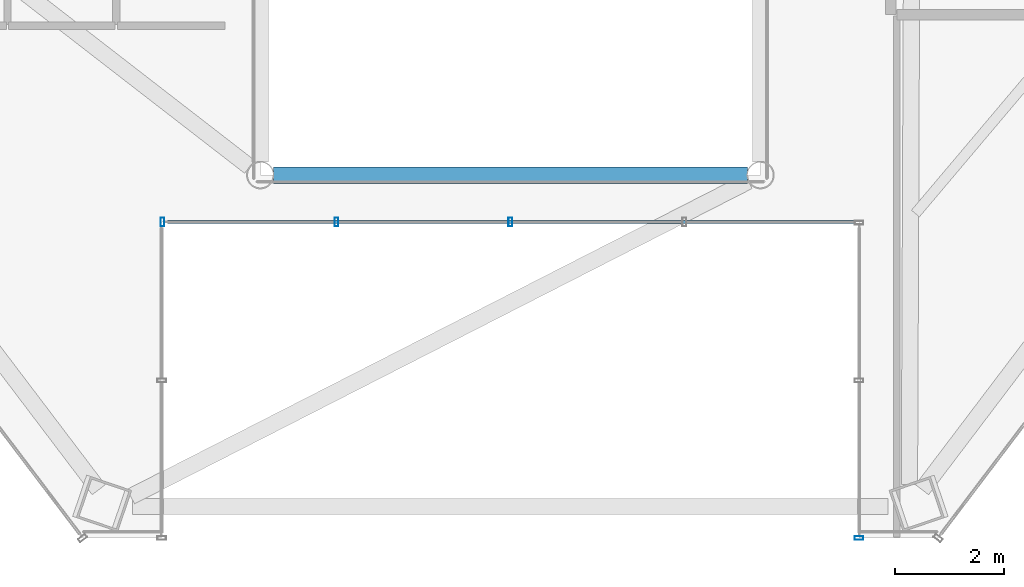
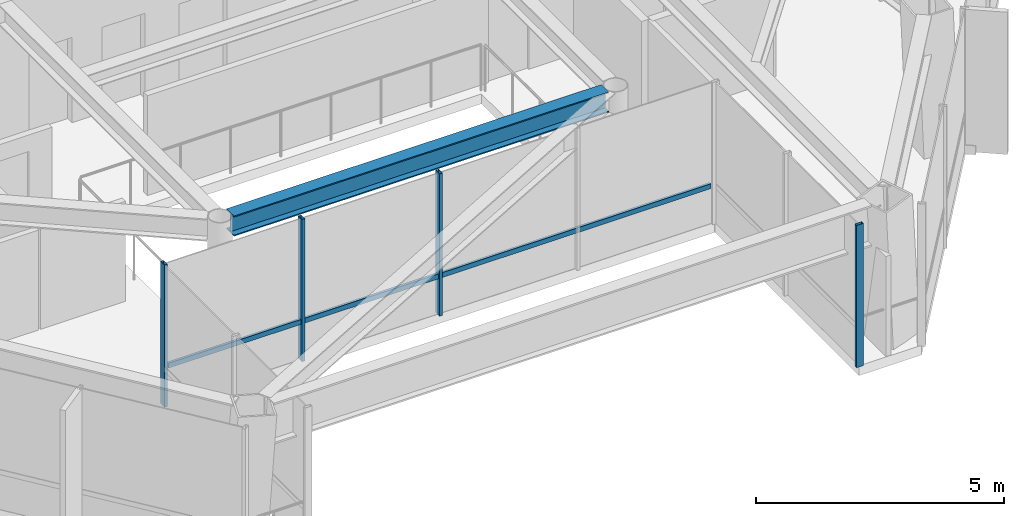
# One storey, part 8 of 30: 5 members, 1 beam, 2 elements without a shape of their own.
"""IFC4 building model written with IfcOpenShell, lengths in metres."""

from ifc_helpers import new_model, si_unit, direction, frame, origin, origin_2d, place, context, subcontext, project, spatial, hollow_rectangle, i_section, extrude, material, layer, layer_set, material_profile, profile_set, type_object, element, aggregate, save


model = new_model("IFC4")

# Units and contexts
model_context = context("Model", 3, precision=1e-05, world=origin(), true_north=direction((0.0, 1.0)))
body_context = subcontext(model_context, "Body", "Model", "MODEL_VIEW")
ifc_project = project(units=[si_unit("LENGTHUNIT", "METRE"), si_unit("AREAUNIT", "SQUARE_METRE"), si_unit("VOLUMEUNIT", "CUBIC_METRE"), si_unit("PLANEANGLEUNIT", "RADIAN"), si_unit("MASSUNIT", "GRAM", prefix="KILO")], contexts=[model_context])

# Site, building, storey
site_placement = place(None, origin())
site = spatial("IfcSite", under=ifc_project, at=site_placement, CompositionType="ELEMENT")
building_placement = place(site_placement, origin())
building = spatial("IfcBuilding", under=site, at=building_placement, Name="Zarrinselat Tower", CompositionType="ELEMENT")
storey_placement = place(building_placement, frame((0.0, 0.0, 160.820068359375)))
storey = spatial("IfcBuildingStorey", under=building, at=storey_placement, Name="L39", CompositionType="ELEMENT", Elevation=160.820068359375)

# Beam
ifc_material_1 = material(Name="Steel S355J2", Category="steel")
ifc_material_profile_1 = material_profile(ifc_material_1, i_section(OverallWidth=0.300048828125, OverallDepth=0.5, WebThickness=0.014404296875, FlangeThickness=0.028076171875, at=origin_2d()), Name="HEB 500")
ifc_profile_set_1 = profile_set([ifc_material_profile_1], Name="Steel S355J2")
beam_type = type_object("IfcBeamType", Name="BM-HEB500", PredefinedType="BEAM", material=ifc_profile_set_1)
beam_placement = place(storey_placement, frame((34.0400390625, 24.39990234375, 3.25), z_axis=(1.0, 0.0, 0.0), x_axis=(0.0, 1.0, 0.0)))
element("IfcBeam", 1, at=beam_placement, inside=storey, type_object=beam_type, Name="L39 Atrium Edge Beam S", PredefinedType="BEAM", context=body_context, shape_type="SweptSolid", body=[
    extrude(i_section(OverallWidth=0.300048828125, OverallDepth=0.5, WebThickness=0.014404296875, FlangeThickness=0.028076171875, at=origin_2d()), origin(), (0.0, 0.0, 1.0), 8.719970703125),
])

# Curtain wall, member
ifc_material_2 = material(Name="Extruded Aluminium Alloy EN AW-6063 T6", Category="aluminium")
ifc_layer = layer(ifc_material_2, 0.18994140625)
ifc_layer_set = layer_set([ifc_layer], Name="Extruded Aluminium Alloy EN AW-6063 T6")
curtain_wall_type = type_object("IfcCurtainWallType", Name="CWS-SG", PredefinedType="NOTDEFINED", material=ifc_layer_set)
curtain_wall_1_placement = place(storey_placement, origin())
curtain_wall_1 = element("IfcCurtainWall", 2, at=curtain_wall_1_placement, inside=storey, type_object=curtain_wall_type, Name="L39 Unitised Curtain Wall CW-L39-E07", PredefinedType="NOTDEFINED")
ifc_material_3 = material(Name="Extruded Aluminium Alloy EN AW-6063 T6", Category="aluminium")
ifc_material_profile_2 = material_profile(ifc_material_3, hollow_rectangle(XDim=0.070068359375, YDim=0.159912109375, WallThickness=0.00390625, at=origin_2d()), Name="RHS 160x70x4")
ifc_profile_set_2 = profile_set([ifc_material_profile_2], Name="Extruded Aluminium Alloy EN AW-6063 T6")
member_type_1 = type_object("IfcMemberType", Name="MEM-CW-MUL2", PredefinedType="MULLION", material=ifc_profile_set_2)
member_1_placement = place(storey_placement, frame((44.81494140625, 17.723388671875, 0.0), z_axis=(0.0, 0.0, 1.0), x_axis=(0.0, 1.0, 0.0)))
member_1 = element("IfcMember", 3, at=member_1_placement, type_object=member_type_1, Name="CW-L39-E07 Mullion 0", PredefinedType="MULLION", context=body_context, shape_type="SweptSolid", body=[
    extrude(hollow_rectangle(XDim=0.070068359375, YDim=0.159912109375, WallThickness=0.00390625, at=origin_2d()), origin(), (0.0, 0.0, 1.0), 3.5),
])
aggregate(curtain_wall_1, [member_1])

# Curtain wall, members
curtain_wall_2_placement = place(storey_placement, origin())
curtain_wall_2 = element("IfcCurtainWall", 4, at=curtain_wall_2_placement, inside=storey, type_object=curtain_wall_type, Name="L39 Unitised Curtain Wall CW-L39-E24", PredefinedType="NOTDEFINED")
member_2_placement = place(storey_placement, frame((38.39990234375, 23.538330078125, 0.0), z_axis=(0.0, 0.0, 1.0), x_axis=(-1.0, 0.0, 0.0)))
member_2 = element("IfcMember", 5, at=member_2_placement, type_object=member_type_1, Name="CW-L39-E24 Mullion 2", PredefinedType="MULLION", context=body_context, shape_type="SweptSolid", body=[
    extrude(hollow_rectangle(XDim=0.070068359375, YDim=0.159912109375, WallThickness=0.00390625, at=origin_2d()), origin(), (0.0, 0.0, 1.0), 3.5),
])
member_3_placement = place(storey_placement, frame((35.199951171875, 23.538330078125, 0.0), z_axis=(0.0, 0.0, 1.0), x_axis=(-1.0, 0.0, 0.0)))
member_3 = element("IfcMember", 6, at=member_3_placement, type_object=member_type_1, Name="CW-L39-E24 Mullion 3", PredefinedType="MULLION", context=body_context, shape_type="SweptSolid", body=[
    extrude(hollow_rectangle(XDim=0.070068359375, YDim=0.159912109375, WallThickness=0.00390625, at=origin_2d()), origin(), (0.0, 0.0, 1.0), 3.5),
])
member_4_placement = place(storey_placement, frame((32.0, 23.538330078125, 0.0), z_axis=(0.0, 0.0, 1.0), x_axis=(-1.0, 0.0, 0.0)))
member_4 = element("IfcMember", 7, at=member_4_placement, type_object=member_type_1, Name="CW-L39-E24 Mullion 4", PredefinedType="MULLION", context=body_context, shape_type="SweptSolid", body=[
    extrude(hollow_rectangle(XDim=0.070068359375, YDim=0.159912109375, WallThickness=0.00390625, at=origin_2d()), origin(), (0.0, 0.0, 1.0), 3.5),
])
ifc_material_4 = material(Name="Extruded Aluminium Alloy EN AW-6063 T6", Category="aluminium")
ifc_material_profile_3 = material_profile(ifc_material_4, hollow_rectangle(XDim=0.06005859375, YDim=0.1201171875, WallThickness=0.00390625, at=origin_2d()), Name="RHS 120x60x4")
ifc_profile_set_3 = profile_set([ifc_material_profile_3], Name="Extruded Aluminium Alloy EN AW-6063 T6")
member_type_2 = type_object("IfcMemberType", Name="MEM-CW-TRN2", PredefinedType="USERDEFINED", material=ifc_profile_set_3)
member_5_placement = place(storey_placement, frame((44.7099609375, 23.538330078125, 0.949951171875), z_axis=(-1.0, 0.0, 0.0), x_axis=(0.0, -1.0, 0.0)))
member_5 = element("IfcMember", 8, at=member_5_placement, type_object=member_type_2, Name="CW-L39-E24 Transom 1", ObjectType="TRANSOM", PredefinedType="USERDEFINED", context=body_context, shape_type="SweptSolid", body=[
    extrude(hollow_rectangle(XDim=0.06005859375, YDim=0.1201171875, WallThickness=0.00390625, at=origin_2d()), origin(), (0.0, 0.0, 1.0), 12.619873046875),
])
aggregate(curtain_wall_2, [member_2, member_3, member_4, member_5])

save(model, "model.ifc")
